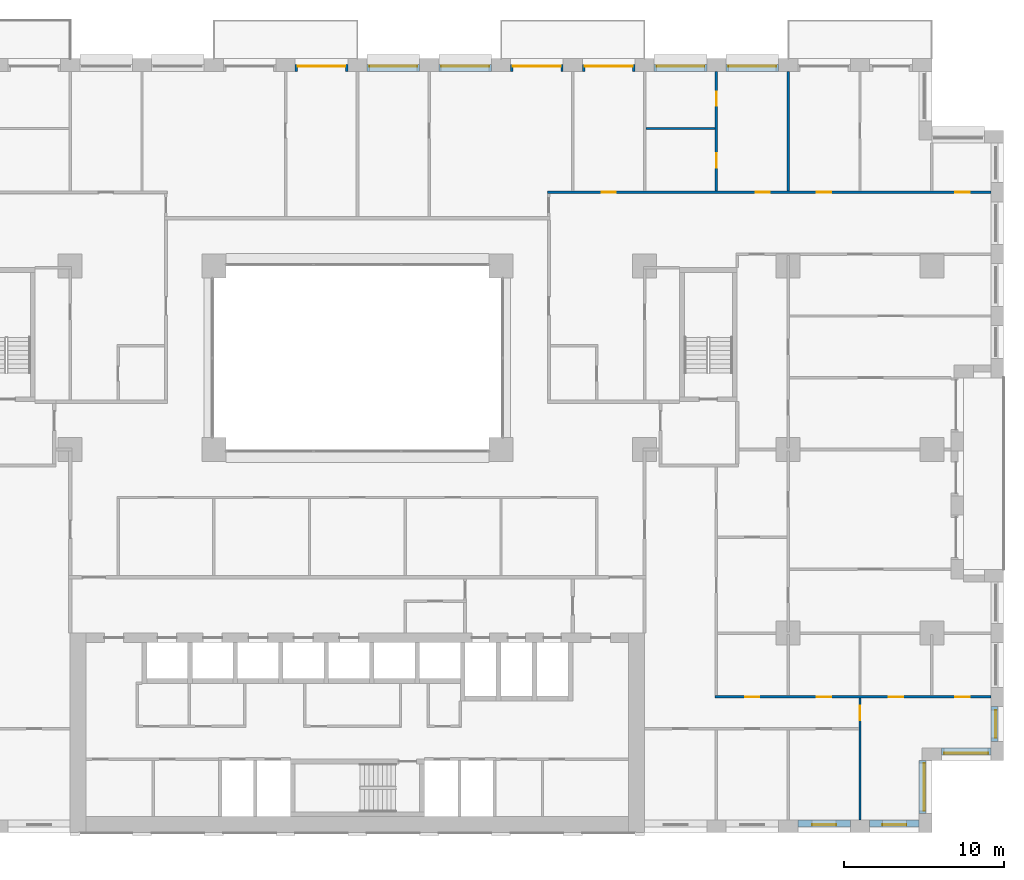
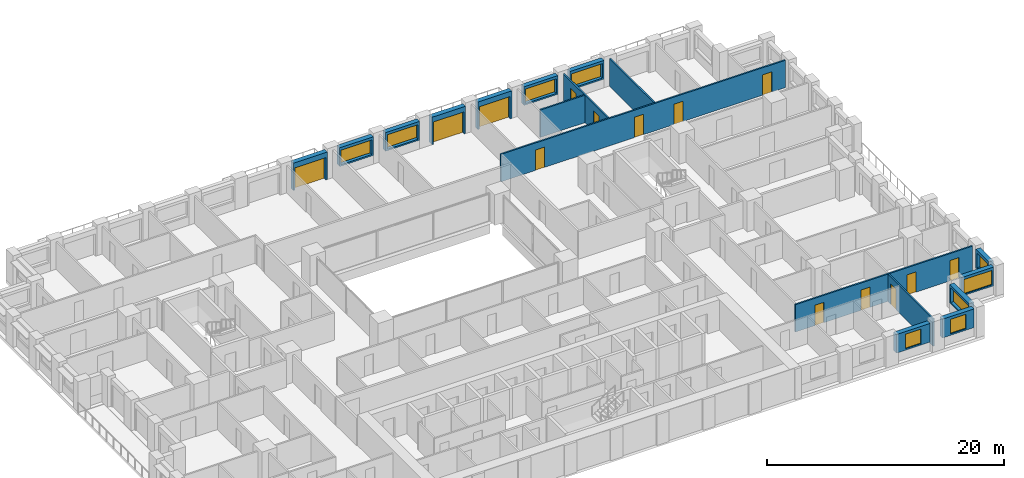
# One storey, part 15 of 19: 18 walls, 14 doors, 9 windows, 23 openings.
"""IFC4 building model written with IfcOpenShell, lengths in metres."""

from ifc_helpers import new_model, si_unit, direction, frame, frame_2d, origin, place, context, subcontext, project, spatial, rectangle, extrude, material, layer, layer_set, type_object, element, fill, save


model = new_model("IFC4")

# Units and contexts
model_context = context("Model", 3, precision=1e-05, world=origin(), true_north=direction((0.0, 1.0)))
body_context = subcontext(model_context, "Body", "Model", "MODEL_VIEW")
ifc_project = project(units=[si_unit("LENGTHUNIT", "METRE"), si_unit("AREAUNIT", "SQUARE_METRE"), si_unit("VOLUMEUNIT", "CUBIC_METRE"), si_unit("PLANEANGLEUNIT", "RADIAN"), si_unit("MASSUNIT", "GRAM", prefix="KILO")], contexts=[model_context])

# Site, building, storey
site_placement = place(None, origin())
site = spatial("IfcSite", under=ifc_project, at=site_placement, CompositionType="ELEMENT")
building_placement = place(site_placement, origin())
building = spatial("IfcBuilding", under=site, at=building_placement, Name="Brigalow Station Residences", CompositionType="ELEMENT")
storey_placement = place(building_placement, frame((0.0, 0.0, 25.800048828125)))
storey = spatial("IfcBuildingStorey", under=building, at=storey_placement, Name="L06", CompositionType="ELEMENT", Elevation=25.800048828125)

# Wall, opening, window
ifc_material_1 = material(Name="Clay brick masonry", Category="masonry")
ifc_layer_1 = layer(ifc_material_1, 0.449951171875)
ifc_layer_set_1 = layer_set([ifc_layer_1], Name="BRICK INFILL WALL 450")
wall_type_1 = type_object("IfcWallType", Name="BRICK INFILL WALL 450", PredefinedType="SOLIDWALL", material=ifc_layer_set_1)
wall_1_placement = place(storey_placement, frame((63.60009765625, 0.574951171875, 0.89990234375), z_axis=(0.0, 0.0, 1.0), x_axis=(1.0, 0.0, 0.0)))
wall_1 = element("IfcWall", 1, at=wall_1_placement, inside=storey, type_object=wall_type_1, Name="L06/ewall/W-L06-7", PredefinedType="SOLIDWALL", context=body_context, shape_type="SweptSolid", body=[
    extrude(rectangle(XDim=3.2998046875, YDim=0.449951171875, at=frame_2d((1.64990234375, 0.0))), origin(), (0.0, 0.0, 1.0), 1.929931640625),
])
opening_1_placement = place(wall_1_placement, frame((0.89990234375, 0.0, 0.14990234375)))
opening_1 = element("IfcOpeningElement", 2, at=opening_1_placement, cuts=wall_1, Name="Opening WT-1", PredefinedType="OPENING", context=body_context, shape_type="SweptSolid", body=[
    extrude(rectangle(XDim=1.5, YDim=1.5, at=frame_2d((0.75, 0.75))), frame((0.0, 0.23486328125, 0.0), z_axis=(0.0, -1.0, 0.0), x_axis=(1.0, 0.0, 0.0)), (0.0, 0.0, 1.0), 0.469970703125),
])
ifc_material_2 = material(Name="Anodised aluminium frame with double glazing", Category="aluminium")
window_type_1 = type_object("IfcWindowType", Name="WINDOW 1500x1500", PartitioningType="SINGLE_PANEL", PredefinedType="WINDOW", material=ifc_material_2)
window_1_placement = place(opening_1_placement, origin())
window_1 = element("IfcWindow", 3, at=window_1_placement, inside=storey, type_object=window_type_1, Name="L06/window/W-L06-7", OverallHeight=1.5, OverallWidth=1.5, PartitioningType="SINGLE_PANEL", PredefinedType="WINDOW", context=body_context, shape_type="SweptSolid", body=[
    extrude(rectangle(XDim=1.5, YDim=1.5, at=frame_2d((0.75, 0.75))), frame((0.0, -0.06494140625, 0.0), z_axis=(0.0, -1.0, 0.0), x_axis=(1.0, 0.0, 0.0)), (0.0, 0.0, 1.0), 0.06005859375),
])
fill(opening_1, window_1)

wall_2_placement = place(storey_placement, frame((68.10009765625, 0.574951171875, 0.89990234375), z_axis=(0.0, 0.0, 1.0), x_axis=(1.0, 0.0, 0.0)))
wall_2 = element("IfcWall", 4, at=wall_2_placement, inside=storey, type_object=wall_type_1, Name="L06/ewall/W-L06-8", PredefinedType="SOLIDWALL", context=body_context, shape_type="SweptSolid", body=[
    extrude(rectangle(XDim=3.099853515625, YDim=0.449951171875, at=frame_2d((1.5498046875, 0.0))), origin(), (0.0, 0.0, 1.0), 1.929931640625),
])
opening_2_placement = place(wall_2_placement, frame((0.800048828125, 0.0, 0.14990234375)))
opening_2 = element("IfcOpeningElement", 5, at=opening_2_placement, cuts=wall_2, Name="Opening WT-1", PredefinedType="OPENING", context=body_context, shape_type="SweptSolid", body=[
    extrude(rectangle(XDim=1.5, YDim=1.5, at=frame_2d((0.75, 0.75))), frame((0.0, 0.23486328125, 0.0), z_axis=(0.0, -1.0, 0.0), x_axis=(1.0, 0.0, 0.0)), (0.0, 0.0, 1.0), 0.469970703125),
])
window_2_placement = place(opening_2_placement, origin())
window_2 = element("IfcWindow", 6, at=window_2_placement, inside=storey, type_object=window_type_1, Name="L06/window/W-L06-8", OverallHeight=1.5, OverallWidth=1.5, PartitioningType="SINGLE_PANEL", PredefinedType="WINDOW", context=body_context, shape_type="SweptSolid", body=[
    extrude(rectangle(XDim=1.5, YDim=1.5, at=frame_2d((0.75, 0.75))), frame((0.0, -0.06494140625, 0.0), z_axis=(0.0, -1.0, 0.0), x_axis=(1.0, 0.0, 0.0)), (0.0, 0.0, 1.0), 0.06005859375),
])
fill(opening_2, window_2)

wall_3_placement = place(storey_placement, frame((71.425048828125, 1.199951171875, 0.89990234375), z_axis=(0.0, 0.0, 1.0), x_axis=(0.0, 1.0, 0.0)))
wall_3 = element("IfcWall", 7, at=wall_3_placement, inside=storey, type_object=wall_type_1, Name="L06/ewall/W-L06-9", PredefinedType="SOLIDWALL", context=body_context, shape_type="SweptSolid", body=[
    extrude(rectangle(XDim=3.300048828125, YDim=0.449951171875, at=frame_2d((1.64990234375, 0.0))), origin(), (0.0, 0.0, 1.0), 1.929931640625),
])
opening_3_placement = place(wall_3_placement, frame((0.14990234375, 0.0, 0.14990234375)))
opening_3 = element("IfcOpeningElement", 8, at=opening_3_placement, cuts=wall_3, Name="Opening WT-2", PredefinedType="OPENING", context=body_context, shape_type="SweptSolid", body=[
    extrude(rectangle(XDim=3.0, YDim=1.5, at=frame_2d((1.5, 0.75))), frame((0.0, 0.23486328125, 0.0), z_axis=(0.0, -1.0, 0.0), x_axis=(1.0, 0.0, 0.0)), (0.0, 0.0, 1.0), 0.469970703125),
])
ifc_material_3 = material(Name="Anodised aluminium frame with double glazing", Category="aluminium")
window_type_2 = type_object("IfcWindowType", Name="WINDOW 3000x1500", PartitioningType="SINGLE_PANEL", PredefinedType="WINDOW", material=ifc_material_3)
window_3_placement = place(opening_3_placement, origin())
window_3 = element("IfcWindow", 9, at=window_3_placement, inside=storey, type_object=window_type_2, Name="L06/window/W-L06-9", OverallHeight=1.5, OverallWidth=3.0, PartitioningType="SINGLE_PANEL", PredefinedType="WINDOW", context=body_context, shape_type="SweptSolid", body=[
    extrude(rectangle(XDim=3.0, YDim=1.5, at=frame_2d((1.5, 0.75))), frame((0.0, -0.06494140625, 0.0), z_axis=(0.0, -1.0, 0.0), x_axis=(1.0, 0.0, 0.0)), (0.0, 0.0, 1.0), 0.06005859375),
])
fill(opening_3, window_3)

wall_4_placement = place(storey_placement, frame((72.60009765625, 5.074951171875, 0.89990234375), z_axis=(0.0, 0.0, 1.0), x_axis=(1.0, 0.0, 0.0)))
wall_4 = element("IfcWall", 10, at=wall_4_placement, inside=storey, type_object=wall_type_1, Name="L06/ewall/W-L06-10", PredefinedType="SOLIDWALL", context=body_context, shape_type="SweptSolid", body=[
    extrude(rectangle(XDim=3.099853515625, YDim=0.449951171875, at=frame_2d((1.5498046875, 0.0))), origin(), (0.0, 0.0, 1.0), 1.929931640625),
])
opening_4_placement = place(wall_4_placement, frame((0.175048828125, 0.0, 0.14990234375)))
opening_4 = element("IfcOpeningElement", 11, at=opening_4_placement, cuts=wall_4, Name="Opening WT-3", PredefinedType="OPENING", context=body_context, shape_type="SweptSolid", body=[
    extrude(rectangle(XDim=2.75, YDim=1.5, at=frame_2d((1.375, 0.75))), frame((0.0, 0.23486328125, 0.0), z_axis=(0.0, -1.0, 0.0), x_axis=(1.0, 0.0, 0.0)), (0.0, 0.0, 1.0), 0.469970703125),
])
ifc_material_4 = material(Name="Anodised aluminium frame with double glazing", Category="aluminium")
window_type_3 = type_object("IfcWindowType", Name="WINDOW 2750x1500", PartitioningType="SINGLE_PANEL", PredefinedType="WINDOW", material=ifc_material_4)
window_4_placement = place(opening_4_placement, origin())
window_4 = element("IfcWindow", 12, at=window_4_placement, inside=storey, type_object=window_type_3, Name="L06/window/W-L06-10", OverallHeight=1.5, OverallWidth=2.75, PartitioningType="SINGLE_PANEL", PredefinedType="WINDOW", context=body_context, shape_type="SweptSolid", body=[
    extrude(rectangle(XDim=2.75, YDim=1.5, at=frame_2d((1.375, 0.75))), frame((0.0, -0.06494140625, 0.0), z_axis=(0.0, -1.0, 0.0), x_axis=(1.0, 0.0, 0.0)), (0.0, 0.0, 1.0), 0.06005859375),
])
fill(opening_4, window_4)

wall_5_placement = place(storey_placement, frame((75.925048828125, 5.699951171875, 0.89990234375), z_axis=(0.0, 0.0, 1.0), x_axis=(0.0, 1.0, 0.0)))
wall_5 = element("IfcWall", 13, at=wall_5_placement, inside=storey, type_object=wall_type_1, Name="L06/ewall/W-L06-11", PredefinedType="SOLIDWALL", context=body_context, shape_type="SweptSolid", body=[
    extrude(rectangle(XDim=2.199951171875, YDim=0.449951171875, at=frame_2d((1.10009765625, 0.0))), origin(), (0.0, 0.0, 1.0), 1.929931640625),
])
opening_5_placement = place(wall_5_placement, frame((0.22509765625, 0.0, 0.14990234375)))
opening_5 = element("IfcOpeningElement", 14, at=opening_5_placement, cuts=wall_5, Name="Opening WT-4", PredefinedType="OPENING", context=body_context, shape_type="SweptSolid", body=[
    extrude(rectangle(XDim=1.75, YDim=1.5, at=frame_2d((0.875, 0.75))), frame((0.0, 0.23486328125, 0.0), z_axis=(0.0, -1.0, 0.0), x_axis=(1.0, 0.0, 0.0)), (0.0, 0.0, 1.0), 0.469970703125),
])
ifc_material_5 = material(Name="Anodised aluminium frame with double glazing", Category="aluminium")
window_type_4 = type_object("IfcWindowType", Name="WINDOW 1750x1500", PartitioningType="SINGLE_PANEL", PredefinedType="WINDOW", material=ifc_material_5)
window_5_placement = place(opening_5_placement, origin())
window_5 = element("IfcWindow", 15, at=window_5_placement, inside=storey, type_object=window_type_4, Name="L06/window/W-L06-11", OverallHeight=1.5, OverallWidth=1.75, PartitioningType="SINGLE_PANEL", PredefinedType="WINDOW", context=body_context, shape_type="SweptSolid", body=[
    extrude(rectangle(XDim=1.75, YDim=1.5, at=frame_2d((0.875, 0.75))), frame((0.0, -0.06494140625, 0.0), z_axis=(0.0, -1.0, 0.0), x_axis=(1.0, 0.0, 0.0)), (0.0, 0.0, 1.0), 0.06005859375),
])
fill(opening_5, window_5)

wall_6_placement = place(storey_placement, frame((62.39990234375, 47.925048828125, 0.89990234375), z_axis=(0.0, 0.0, 1.0), x_axis=(-1.0, 0.0, 0.0)))
wall_6 = element("IfcWall", 16, at=wall_6_placement, inside=storey, type_object=wall_type_1, Name="L06/ewall/W-L06-27", PredefinedType="SOLIDWALL", context=body_context, shape_type="SweptSolid", body=[
    extrude(rectangle(XDim=3.2998046875, YDim=0.449951171875, at=frame_2d((1.64990234375, 0.0))), origin(), (0.0, 0.0, 1.0), 1.929931640625),
])
opening_6_placement = place(wall_6_placement, frame((0.14990234375, 0.0, 0.14990234375)))
opening_6 = element("IfcOpeningElement", 17, at=opening_6_placement, cuts=wall_6, Name="Opening WT-2", PredefinedType="OPENING", context=body_context, shape_type="SweptSolid", body=[
    extrude(rectangle(XDim=3.0, YDim=1.5, at=frame_2d((1.5, 0.75))), frame((0.0, 0.23486328125, 0.0), z_axis=(0.0, -1.0, 0.0), x_axis=(1.0, 0.0, 0.0)), (0.0, 0.0, 1.0), 0.469970703125),
])
window_6_placement = place(opening_6_placement, origin())
window_6 = element("IfcWindow", 18, at=window_6_placement, inside=storey, type_object=window_type_2, Name="L06/window/W-L06-27", OverallHeight=1.5, OverallWidth=3.0, PartitioningType="SINGLE_PANEL", PredefinedType="WINDOW", context=body_context, shape_type="SweptSolid", body=[
    extrude(rectangle(XDim=3.0, YDim=1.5, at=frame_2d((1.5, 0.75))), frame((0.0, -0.06494140625, 0.0), z_axis=(0.0, -1.0, 0.0), x_axis=(1.0, 0.0, 0.0)), (0.0, 0.0, 1.0), 0.06005859375),
])
fill(opening_6, window_6)

wall_7_placement = place(storey_placement, frame((57.89990234375, 47.925048828125, 0.89990234375), z_axis=(0.0, 0.0, 1.0), x_axis=(-1.0, 0.0, 0.0)))
wall_7 = element("IfcWall", 19, at=wall_7_placement, inside=storey, type_object=wall_type_1, Name="L06/ewall/W-L06-28", PredefinedType="SOLIDWALL", context=body_context, shape_type="SweptSolid", body=[
    extrude(rectangle(XDim=3.2998046875, YDim=0.449951171875, at=frame_2d((1.64990234375, 0.0))), origin(), (0.0, 0.0, 1.0), 1.929931640625),
])
opening_7_placement = place(wall_7_placement, frame((0.14990234375, 0.0, 0.14990234375)))
opening_7 = element("IfcOpeningElement", 20, at=opening_7_placement, cuts=wall_7, Name="Opening WT-2", PredefinedType="OPENING", context=body_context, shape_type="SweptSolid", body=[
    extrude(rectangle(XDim=3.0, YDim=1.5, at=frame_2d((1.5, 0.75))), frame((0.0, 0.23486328125, 0.0), z_axis=(0.0, -1.0, 0.0), x_axis=(1.0, 0.0, 0.0)), (0.0, 0.0, 1.0), 0.469970703125),
])
window_7_placement = place(opening_7_placement, origin())
window_7 = element("IfcWindow", 21, at=window_7_placement, inside=storey, type_object=window_type_2, Name="L06/window/W-L06-28", OverallHeight=1.5, OverallWidth=3.0, PartitioningType="SINGLE_PANEL", PredefinedType="WINDOW", context=body_context, shape_type="SweptSolid", body=[
    extrude(rectangle(XDim=3.0, YDim=1.5, at=frame_2d((1.5, 0.75))), frame((0.0, -0.06494140625, 0.0), z_axis=(0.0, -1.0, 0.0), x_axis=(1.0, 0.0, 0.0)), (0.0, 0.0, 1.0), 0.06005859375),
])
fill(opening_7, window_7)

# Wall, opening, door
wall_8_placement = place(storey_placement, frame((53.39990234375, 47.925048828125, 0.0), z_axis=(0.0, 0.0, 1.0), x_axis=(-1.0, 0.0, 0.0)))
wall_8 = element("IfcWall", 22, at=wall_8_placement, inside=storey, type_object=wall_type_1, Name="L06/ewall/W-L06-29", PredefinedType="SOLIDWALL", context=body_context, shape_type="SweptSolid", body=[
    extrude(rectangle(XDim=3.2998046875, YDim=0.449951171875, at=frame_2d((1.64990234375, 0.0))), origin(), (0.0, 0.0, 1.0), 2.829833984375),
])
opening_8_placement = place(wall_8_placement, frame((0.14990234375, 0.0, 0.0)))
opening_8 = element("IfcOpeningElement", 23, at=opening_8_placement, cuts=wall_8, Name="Opening D-B3000", PredefinedType="OPENING", context=body_context, shape_type="SweptSolid", body=[
    extrude(rectangle(XDim=3.0, YDim=2.300048828125, at=frame_2d((1.5, 1.14990234375))), frame((0.0, 0.23486328125, 0.0), z_axis=(0.0, -1.0, 0.0), x_axis=(1.0, 0.0, 0.0)), (0.0, 0.0, 1.0), 0.469970703125),
])
ifc_material_6 = material(Name="Anodised aluminium frame with double glazing", Category="aluminium")
door_type_1 = type_object("IfcDoorType", Name="BALCONY SLIDING DOOR 3000x2300", OperationType="SLIDING_TO_LEFT", PredefinedType="DOOR", material=ifc_material_6)
door_1_placement = place(opening_8_placement, origin())
door_1 = element("IfcDoor", 24, at=door_1_placement, inside=storey, type_object=door_type_1, Name="L06/balcony-door/W-L06-29", OperationType="SLIDING_TO_LEFT", OverallHeight=2.300048828125, OverallWidth=3.0, PredefinedType="DOOR", context=body_context, shape_type="SweptSolid", body=[
    extrude(rectangle(XDim=3.0, YDim=2.300048828125, at=frame_2d((1.5, 1.14990234375))), frame((0.0, -0.06982421875, 0.0), z_axis=(0.0, -1.0, 0.0), x_axis=(1.0, 0.0, 0.0)), (0.0, 0.0, 1.0), 0.050048828125),
])
fill(opening_8, door_1)

wall_9_placement = place(storey_placement, frame((48.89990234375, 47.925048828125, 0.0), z_axis=(0.0, 0.0, 1.0), x_axis=(-1.0, 0.0, 0.0)))
wall_9 = element("IfcWall", 25, at=wall_9_placement, inside=storey, type_object=wall_type_1, Name="L06/ewall/W-L06-30", PredefinedType="SOLIDWALL", context=body_context, shape_type="SweptSolid", body=[
    extrude(rectangle(XDim=3.2998046875, YDim=0.449951171875, at=frame_2d((1.64990234375, 0.0))), origin(), (0.0, 0.0, 1.0), 2.829833984375),
])
opening_9_placement = place(wall_9_placement, frame((0.14990234375, 0.0, 0.0)))
opening_9 = element("IfcOpeningElement", 26, at=opening_9_placement, cuts=wall_9, Name="Opening D-B3000", PredefinedType="OPENING", context=body_context, shape_type="SweptSolid", body=[
    extrude(rectangle(XDim=3.0, YDim=2.300048828125, at=frame_2d((1.5, 1.14990234375))), frame((0.0, 0.23486328125, 0.0), z_axis=(0.0, -1.0, 0.0), x_axis=(1.0, 0.0, 0.0)), (0.0, 0.0, 1.0), 0.469970703125),
])
door_2_placement = place(opening_9_placement, origin())
door_2 = element("IfcDoor", 27, at=door_2_placement, inside=storey, type_object=door_type_1, Name="L06/balcony-door/W-L06-30", OperationType="SLIDING_TO_LEFT", OverallHeight=2.300048828125, OverallWidth=3.0, PredefinedType="DOOR", context=body_context, shape_type="SweptSolid", body=[
    extrude(rectangle(XDim=3.0, YDim=2.300048828125, at=frame_2d((1.5, 1.14990234375))), frame((0.0, -0.06982421875, 0.0), z_axis=(0.0, -1.0, 0.0), x_axis=(1.0, 0.0, 0.0)), (0.0, 0.0, 1.0), 0.050048828125),
])
fill(opening_9, door_2)

# Wall, opening, window
wall_10_placement = place(storey_placement, frame((44.39990234375, 47.925048828125, 0.89990234375), z_axis=(0.0, 0.0, 1.0), x_axis=(-1.0, 0.0, 0.0)))
wall_10 = element("IfcWall", 28, at=wall_10_placement, inside=storey, type_object=wall_type_1, Name="L06/ewall/W-L06-31", PredefinedType="SOLIDWALL", context=body_context, shape_type="SweptSolid", body=[
    extrude(rectangle(XDim=3.2998046875, YDim=0.449951171875, at=frame_2d((1.64990234375, 0.0))), origin(), (0.0, 0.0, 1.0), 1.929931640625),
])
opening_10_placement = place(wall_10_placement, frame((0.14990234375, 0.0, 0.14990234375)))
opening_10 = element("IfcOpeningElement", 29, at=opening_10_placement, cuts=wall_10, Name="Opening WT-2", PredefinedType="OPENING", context=body_context, shape_type="SweptSolid", body=[
    extrude(rectangle(XDim=3.0, YDim=1.5, at=frame_2d((1.5, 0.75))), frame((0.0, 0.23486328125, 0.0), z_axis=(0.0, -1.0, 0.0), x_axis=(1.0, 0.0, 0.0)), (0.0, 0.0, 1.0), 0.469970703125),
])
window_8_placement = place(opening_10_placement, origin())
window_8 = element("IfcWindow", 30, at=window_8_placement, inside=storey, type_object=window_type_2, Name="L06/window/W-L06-31", OverallHeight=1.5, OverallWidth=3.0, PartitioningType="SINGLE_PANEL", PredefinedType="WINDOW", context=body_context, shape_type="SweptSolid", body=[
    extrude(rectangle(XDim=3.0, YDim=1.5, at=frame_2d((1.5, 0.75))), frame((0.0, -0.06494140625, 0.0), z_axis=(0.0, -1.0, 0.0), x_axis=(1.0, 0.0, 0.0)), (0.0, 0.0, 1.0), 0.06005859375),
])
fill(opening_10, window_8)

wall_11_placement = place(storey_placement, frame((39.89990234375, 47.925048828125, 0.89990234375), z_axis=(0.0, 0.0, 1.0), x_axis=(-1.0, 0.0, 0.0)))
wall_11 = element("IfcWall", 31, at=wall_11_placement, inside=storey, type_object=wall_type_1, Name="L06/ewall/W-L06-32", PredefinedType="SOLIDWALL", context=body_context, shape_type="SweptSolid", body=[
    extrude(rectangle(XDim=3.2998046875, YDim=0.449951171875, at=frame_2d((1.64990234375, 0.0))), origin(), (0.0, 0.0, 1.0), 1.929931640625),
])
opening_11_placement = place(wall_11_placement, frame((0.14990234375, 0.0, 0.14990234375)))
opening_11 = element("IfcOpeningElement", 32, at=opening_11_placement, cuts=wall_11, Name="Opening WT-2", PredefinedType="OPENING", context=body_context, shape_type="SweptSolid", body=[
    extrude(rectangle(XDim=3.0, YDim=1.5, at=frame_2d((1.5, 0.75))), frame((0.0, 0.23486328125, 0.0), z_axis=(0.0, -1.0, 0.0), x_axis=(1.0, 0.0, 0.0)), (0.0, 0.0, 1.0), 0.469970703125),
])
window_9_placement = place(opening_11_placement, origin())
window_9 = element("IfcWindow", 33, at=window_9_placement, inside=storey, type_object=window_type_2, Name="L06/window/W-L06-32", OverallHeight=1.5, OverallWidth=3.0, PartitioningType="SINGLE_PANEL", PredefinedType="WINDOW", context=body_context, shape_type="SweptSolid", body=[
    extrude(rectangle(XDim=3.0, YDim=1.5, at=frame_2d((1.5, 0.75))), frame((0.0, -0.06494140625, 0.0), z_axis=(0.0, -1.0, 0.0), x_axis=(1.0, 0.0, 0.0)), (0.0, 0.0, 1.0), 0.06005859375),
])
fill(opening_11, window_9)

# Wall, opening, door
wall_12_placement = place(storey_placement, frame((35.39990234375, 47.925048828125, 0.0), z_axis=(0.0, 0.0, 1.0), x_axis=(-1.0, 0.0, 0.0)))
wall_12 = element("IfcWall", 34, at=wall_12_placement, inside=storey, type_object=wall_type_1, Name="L06/ewall/W-L06-33", PredefinedType="SOLIDWALL", context=body_context, shape_type="SweptSolid", body=[
    extrude(rectangle(XDim=3.2998046875, YDim=0.449951171875, at=frame_2d((1.64990234375, 0.0))), origin(), (0.0, 0.0, 1.0), 2.829833984375),
])
opening_12_placement = place(wall_12_placement, frame((0.14990234375, 0.0, 0.0)))
opening_12 = element("IfcOpeningElement", 35, at=opening_12_placement, cuts=wall_12, Name="Opening D-B3000", PredefinedType="OPENING", context=body_context, shape_type="SweptSolid", body=[
    extrude(rectangle(XDim=3.0, YDim=2.300048828125, at=frame_2d((1.5, 1.14990234375))), frame((0.0, 0.23486328125, 0.0), z_axis=(0.0, -1.0, 0.0), x_axis=(1.0, 0.0, 0.0)), (0.0, 0.0, 1.0), 0.469970703125),
])
door_3_placement = place(opening_12_placement, origin())
door_3 = element("IfcDoor", 36, at=door_3_placement, inside=storey, type_object=door_type_1, Name="L06/balcony-door/W-L06-33", OperationType="SLIDING_TO_LEFT", OverallHeight=2.300048828125, OverallWidth=3.0, PredefinedType="DOOR", context=body_context, shape_type="SweptSolid", body=[
    extrude(rectangle(XDim=3.0, YDim=2.300048828125, at=frame_2d((1.5, 1.14990234375))), frame((0.0, -0.06982421875, 0.0), z_axis=(0.0, -1.0, 0.0), x_axis=(1.0, 0.0, 0.0)), (0.0, 0.0, 1.0), 0.050048828125),
])
fill(opening_12, door_3)

# Wall, openings, doors
ifc_material_7 = material(Name="Plasterboard on steel stud partition", Category="steel")
ifc_layer_2 = layer(ifc_material_7, 0.14990234375)
ifc_layer_set_2 = layer_set([ifc_layer_2], Name="FLAT PARTITION 150")
wall_type_2 = type_object("IfcWallType", Name="FLAT PARTITION 150", PredefinedType="PARTITIONING", material=ifc_layer_set_2)
wall_13_placement = place(storey_placement, frame((58.425048828125, 8.5, 0.0), z_axis=(0.0, 0.0, 1.0), x_axis=(1.0, 0.0, 0.0)))
wall_13 = element("IfcWall", 37, at=wall_13_placement, inside=storey, type_object=wall_type_2, Name="PW-1A10", PredefinedType="PARTITIONING", context=body_context, shape_type="SweptSolid", body=[
    extrude(rectangle(XDim=17.27490234375, YDim=0.14990234375, at=frame_2d((8.637451171875, 0.0))), origin(), (0.0, 0.0, 1.0), 2.829833984375),
])
opening_13_placement = place(wall_13_placement, frame((1.875, 0.0, 0.0)))
opening_13 = element("IfcOpeningElement", 38, at=opening_13_placement, cuts=wall_13, Name="Opening D-1A33", PredefinedType="OPENING", context=body_context, shape_type="SweptSolid", body=[
    extrude(rectangle(XDim=0.89990234375, YDim=2.10009765625, at=frame_2d((0.449951171875, 1.050048828125))), frame((0.0, 0.0849609375, 0.0), z_axis=(0.0, -1.0, 0.0), x_axis=(1.0, 0.0, 0.0)), (0.0, 0.0, 1.0), 0.169921875),
])
opening_14_placement = place(wall_13_placement, frame((6.375, 0.0, 0.0)))
opening_14 = element("IfcOpeningElement", 39, at=opening_14_placement, cuts=wall_13, Name="Opening D-1A34", PredefinedType="OPENING", context=body_context, shape_type="SweptSolid", body=[
    extrude(rectangle(XDim=0.89990234375, YDim=2.10009765625, at=frame_2d((0.449951171875, 1.050048828125))), frame((0.0, 0.0849609375, 0.0), z_axis=(0.0, -1.0, 0.0), x_axis=(1.0, 0.0, 0.0)), (0.0, 0.0, 1.0), 0.169921875),
])
opening_15_placement = place(wall_13_placement, frame((10.875, 0.0, 0.0)))
opening_15 = element("IfcOpeningElement", 40, at=opening_15_placement, cuts=wall_13, Name="Opening D-1A36", PredefinedType="OPENING", context=body_context, shape_type="SweptSolid", body=[
    extrude(rectangle(XDim=0.89990234375, YDim=2.10009765625, at=frame_2d((0.449951171875, 1.050048828125))), frame((0.0, 0.0849609375, 0.0), z_axis=(0.0, -1.0, 0.0), x_axis=(1.0, 0.0, 0.0)), (0.0, 0.0, 1.0), 0.169921875),
])
opening_16_placement = place(wall_13_placement, frame((15.050048828125, 0.0, 0.0)))
opening_16 = element("IfcOpeningElement", 41, at=opening_16_placement, cuts=wall_13, Name="Opening D-1A37", PredefinedType="OPENING", context=body_context, shape_type="SweptSolid", body=[
    extrude(rectangle(XDim=0.89990234375, YDim=2.10009765625, at=frame_2d((0.449951171875, 1.050048828125))), frame((0.0, 0.0849609375, 0.0), z_axis=(0.0, -1.0, 0.0), x_axis=(1.0, 0.0, 0.0)), (0.0, 0.0, 1.0), 0.169921875),
])
ifc_material_8 = material(Name="Solid-core timber door leaf", Category="wood")
door_type_2 = type_object("IfcDoorType", Name="INTERNAL DOOR 900 x 2100", OperationType="SINGLE_SWING_LEFT", PredefinedType="DOOR", material=ifc_material_8)
door_4_placement = place(opening_13_placement, origin())
door_4 = element("IfcDoor", 42, at=door_4_placement, inside=storey, type_object=door_type_2, Name="D-1A33", OperationType="SINGLE_SWING_LEFT", OverallHeight=2.10009765625, OverallWidth=0.89990234375, PredefinedType="DOOR", context=body_context, shape_type="SweptSolid", body=[
    extrude(rectangle(XDim=0.89990234375, YDim=2.10009765625, at=frame_2d((0.449951171875, 1.050048828125))), frame((0.0, 0.02490234375, 0.0), z_axis=(0.0, -1.0, 0.0), x_axis=(1.0, 0.0, 0.0)), (0.0, 0.0, 1.0), 0.050048828125),
])
fill(opening_13, door_4)
door_5_placement = place(opening_14_placement, origin())
door_5 = element("IfcDoor", 43, at=door_5_placement, inside=storey, type_object=door_type_2, Name="D-1A34", OperationType="SINGLE_SWING_LEFT", OverallHeight=2.10009765625, OverallWidth=0.89990234375, PredefinedType="DOOR", context=body_context, shape_type="SweptSolid", body=[
    extrude(rectangle(XDim=0.89990234375, YDim=2.10009765625, at=frame_2d((0.449951171875, 1.050048828125))), frame((0.0, 0.02490234375, 0.0), z_axis=(0.0, -1.0, 0.0), x_axis=(1.0, 0.0, 0.0)), (0.0, 0.0, 1.0), 0.050048828125),
])
fill(opening_14, door_5)
door_6_placement = place(opening_15_placement, origin())
door_6 = element("IfcDoor", 44, at=door_6_placement, inside=storey, type_object=door_type_2, Name="D-1A36", OperationType="SINGLE_SWING_LEFT", OverallHeight=2.10009765625, OverallWidth=0.89990234375, PredefinedType="DOOR", context=body_context, shape_type="SweptSolid", body=[
    extrude(rectangle(XDim=0.89990234375, YDim=2.10009765625, at=frame_2d((0.449951171875, 1.050048828125))), frame((0.0, 0.02490234375, 0.0), z_axis=(0.0, -1.0, 0.0), x_axis=(1.0, 0.0, 0.0)), (0.0, 0.0, 1.0), 0.050048828125),
])
fill(opening_15, door_6)
door_7_placement = place(opening_16_placement, origin())
door_7 = element("IfcDoor", 45, at=door_7_placement, inside=storey, type_object=door_type_2, Name="D-1A37", OperationType="SINGLE_SWING_RIGHT", OverallHeight=2.10009765625, OverallWidth=0.89990234375, PredefinedType="DOOR", context=body_context, shape_type="SweptSolid", body=[
    extrude(rectangle(XDim=0.89990234375, YDim=2.10009765625, at=frame_2d((0.449951171875, 1.050048828125))), frame((0.0, 0.02490234375, 0.0), z_axis=(0.0, -1.0, 0.0), x_axis=(1.0, 0.0, 0.0)), (0.0, 0.0, 1.0), 0.050048828125),
])
fill(opening_16, door_7)

wall_14_placement = place(storey_placement, frame((47.925048828125, 40.125, 0.0), z_axis=(0.0, 0.0, 1.0), x_axis=(1.0, 0.0, 0.0)))
wall_14 = element("IfcWall", 46, at=wall_14_placement, inside=storey, type_object=wall_type_2, Name="PW-1A23", PredefinedType="PARTITIONING", context=body_context, shape_type="SweptSolid", body=[
    extrude(rectangle(XDim=27.77490234375, YDim=0.14990234375, at=frame_2d((13.887451171875, 0.0))), origin(), (0.0, 0.0, 1.0), 2.829833984375),
])
opening_17_placement = place(wall_14_placement, frame((16.875, 0.0, 0.0)))
opening_17 = element("IfcOpeningElement", 47, at=opening_17_placement, cuts=wall_14, Name="Opening D-1A53", PredefinedType="OPENING", context=body_context, shape_type="SweptSolid", body=[
    extrude(rectangle(XDim=0.89990234375, YDim=2.10009765625, at=frame_2d((0.449951171875, 1.050048828125))), frame((0.0, 0.0849609375, 0.0), z_axis=(0.0, -1.0, 0.0), x_axis=(1.0, 0.0, 0.0)), (0.0, 0.0, 1.0), 0.169921875),
])
opening_18_placement = place(wall_14_placement, frame((13.02490234375, 0.0, 0.0)))
opening_18 = element("IfcOpeningElement", 48, at=opening_18_placement, cuts=wall_14, Name="Opening D-1A55", PredefinedType="OPENING", context=body_context, shape_type="SweptSolid", body=[
    extrude(rectangle(XDim=0.89990234375, YDim=2.10009765625, at=frame_2d((0.449951171875, 1.050048828125))), frame((0.0, 0.0849609375, 0.0), z_axis=(0.0, -1.0, 0.0), x_axis=(1.0, 0.0, 0.0)), (0.0, 0.0, 1.0), 0.169921875),
])
opening_19_placement = place(wall_14_placement, frame((3.375, 0.0, 0.0)))
opening_19 = element("IfcOpeningElement", 49, at=opening_19_placement, cuts=wall_14, Name="Opening D-1A58", PredefinedType="OPENING", context=body_context, shape_type="SweptSolid", body=[
    extrude(rectangle(XDim=0.89990234375, YDim=2.10009765625, at=frame_2d((0.449951171875, 1.050048828125))), frame((0.0, 0.0849609375, 0.0), z_axis=(0.0, -1.0, 0.0), x_axis=(1.0, 0.0, 0.0)), (0.0, 0.0, 1.0), 0.169921875),
])
opening_20_placement = place(wall_14_placement, frame((25.550048828125, 0.0, 0.0)))
opening_20 = element("IfcOpeningElement", 50, at=opening_20_placement, cuts=wall_14, Name="Opening D-1A59", PredefinedType="OPENING", context=body_context, shape_type="SweptSolid", body=[
    extrude(rectangle(XDim=0.89990234375, YDim=2.10009765625, at=frame_2d((0.449951171875, 1.050048828125))), frame((0.0, 0.0849609375, 0.0), z_axis=(0.0, -1.0, 0.0), x_axis=(1.0, 0.0, 0.0)), (0.0, 0.0, 1.0), 0.169921875),
])
door_8_placement = place(opening_17_placement, origin())
door_8 = element("IfcDoor", 51, at=door_8_placement, inside=storey, type_object=door_type_2, Name="D-1A53", OperationType="SINGLE_SWING_RIGHT", OverallHeight=2.10009765625, OverallWidth=0.89990234375, PredefinedType="DOOR", context=body_context, shape_type="SweptSolid", body=[
    extrude(rectangle(XDim=0.89990234375, YDim=2.10009765625, at=frame_2d((0.449951171875, 1.050048828125))), frame((0.0, 0.02490234375, 0.0), z_axis=(0.0, -1.0, 0.0), x_axis=(1.0, 0.0, 0.0)), (0.0, 0.0, 1.0), 0.050048828125),
])
fill(opening_17, door_8)
door_9_placement = place(opening_18_placement, origin())
door_9 = element("IfcDoor", 52, at=door_9_placement, inside=storey, type_object=door_type_2, Name="D-1A55", OperationType="SINGLE_SWING_RIGHT", OverallHeight=2.10009765625, OverallWidth=0.89990234375, PredefinedType="DOOR", context=body_context, shape_type="SweptSolid", body=[
    extrude(rectangle(XDim=0.89990234375, YDim=2.10009765625, at=frame_2d((0.449951171875, 1.050048828125))), frame((0.0, 0.02490234375, 0.0), z_axis=(0.0, -1.0, 0.0), x_axis=(1.0, 0.0, 0.0)), (0.0, 0.0, 1.0), 0.050048828125),
])
fill(opening_18, door_9)
door_10_placement = place(opening_19_placement, origin())
door_10 = element("IfcDoor", 53, at=door_10_placement, inside=storey, type_object=door_type_2, Name="D-1A58", OperationType="SINGLE_SWING_RIGHT", OverallHeight=2.10009765625, OverallWidth=0.89990234375, PredefinedType="DOOR", context=body_context, shape_type="SweptSolid", body=[
    extrude(rectangle(XDim=0.89990234375, YDim=2.10009765625, at=frame_2d((0.449951171875, 1.050048828125))), frame((0.0, 0.02490234375, 0.0), z_axis=(0.0, -1.0, 0.0), x_axis=(1.0, 0.0, 0.0)), (0.0, 0.0, 1.0), 0.050048828125),
])
fill(opening_19, door_10)
door_11_placement = place(opening_20_placement, origin())
door_11 = element("IfcDoor", 54, at=door_11_placement, inside=storey, type_object=door_type_2, Name="D-1A59", OperationType="SINGLE_SWING_RIGHT", OverallHeight=2.10009765625, OverallWidth=0.89990234375, PredefinedType="DOOR", context=body_context, shape_type="SweptSolid", body=[
    extrude(rectangle(XDim=0.89990234375, YDim=2.10009765625, at=frame_2d((0.449951171875, 1.050048828125))), frame((0.0, 0.02490234375, 0.0), z_axis=(0.0, -1.0, 0.0), x_axis=(1.0, 0.0, 0.0)), (0.0, 0.0, 1.0), 0.050048828125),
])
fill(opening_20, door_11)

# Wall
wall_15_placement = place(storey_placement, frame((54.074951171875, 44.125, 0.0), z_axis=(0.0, 0.0, 1.0), x_axis=(1.0, 0.0, 0.0)))
element("IfcWall", 55, at=wall_15_placement, inside=storey, type_object=wall_type_2, Name="PW-1A27", PredefinedType="PARTITIONING", context=body_context, shape_type="SweptSolid", body=[
    extrude(rectangle(XDim=4.35009765625, YDim=0.14990234375, at=frame_2d((2.175048828125, 0.0))), origin(), (0.0, 0.0, 1.0), 2.829833984375),
])

# Wall, openings, doors
wall_16_placement = place(storey_placement, frame((58.5, 40.199951171875, 0.0), z_axis=(0.0, 0.0, 1.0), x_axis=(0.0, 1.0, 0.0)))
wall_16 = element("IfcWall", 56, at=wall_16_placement, inside=storey, type_object=wall_type_2, Name="PW-1A63", PredefinedType="PARTITIONING", context=body_context, shape_type="SweptSolid", body=[
    extrude(rectangle(XDim=7.5, YDim=0.14990234375, at=frame_2d((3.75, 0.0))), origin(), (0.0, 0.0, 1.0), 2.829833984375),
])
opening_21_placement = place(wall_16_placement, frame((1.47509765625, 0.0, 0.0)))
opening_21 = element("IfcOpeningElement", 57, at=opening_21_placement, cuts=wall_16, Name="Opening D-1A56", PredefinedType="OPENING", context=body_context, shape_type="SweptSolid", body=[
    extrude(rectangle(XDim=0.89990234375, YDim=2.10009765625, at=frame_2d((0.449951171875, 1.050048828125))), frame((0.0, 0.0849609375, 0.0), z_axis=(0.0, -1.0, 0.0), x_axis=(1.0, 0.0, 0.0)), (0.0, 0.0, 1.0), 0.169921875),
])
opening_22_placement = place(wall_16_placement, frame((5.3369140625, 0.0, 0.0)))
opening_22 = element("IfcOpeningElement", 58, at=opening_22_placement, cuts=wall_16, Name="Opening D-1A57", PredefinedType="OPENING", context=body_context, shape_type="SweptSolid", body=[
    extrude(rectangle(XDim=0.89990234375, YDim=2.10009765625, at=frame_2d((0.449951171875, 1.050048828125))), frame((0.0, 0.0849609375, 0.0), z_axis=(0.0, -1.0, 0.0), x_axis=(1.0, 0.0, 0.0)), (0.0, 0.0, 1.0), 0.169921875),
])
door_12_placement = place(opening_21_placement, origin())
door_12 = element("IfcDoor", 59, at=door_12_placement, inside=storey, type_object=door_type_2, Name="D-1A56", OperationType="SINGLE_SWING_RIGHT", OverallHeight=2.10009765625, OverallWidth=0.89990234375, PredefinedType="DOOR", context=body_context, shape_type="SweptSolid", body=[
    extrude(rectangle(XDim=0.89990234375, YDim=2.10009765625, at=frame_2d((0.449951171875, 1.050048828125))), frame((0.0, 0.02490234375, 0.0), z_axis=(0.0, -1.0, 0.0), x_axis=(1.0, 0.0, 0.0)), (0.0, 0.0, 1.0), 0.050048828125),
])
fill(opening_21, door_12)
door_13_placement = place(opening_22_placement, origin())
door_13 = element("IfcDoor", 60, at=door_13_placement, inside=storey, type_object=door_type_2, Name="D-1A57", OperationType="SINGLE_SWING_RIGHT", OverallHeight=2.10009765625, OverallWidth=0.89990234375, PredefinedType="DOOR", context=body_context, shape_type="SweptSolid", body=[
    extrude(rectangle(XDim=0.89990234375, YDim=2.10009765625, at=frame_2d((0.449951171875, 1.050048828125))), frame((0.0, 0.02490234375, 0.0), z_axis=(0.0, -1.0, 0.0), x_axis=(1.0, 0.0, 0.0)), (0.0, 0.0, 1.0), 0.050048828125),
])
fill(opening_22, door_13)

# Wall
wall_17_placement = place(storey_placement, frame((63.0, 40.199951171875, 0.0), z_axis=(0.0, 0.0, 1.0), x_axis=(0.0, 1.0, 0.0)))
element("IfcWall", 61, at=wall_17_placement, inside=storey, type_object=wall_type_2, Name="PW-1A68", PredefinedType="PARTITIONING", context=body_context, shape_type="SweptSolid", body=[
    extrude(rectangle(XDim=7.5, YDim=0.14990234375, at=frame_2d((3.75, 0.0))), origin(), (0.0, 0.0, 1.0), 2.829833984375),
])

# Wall, opening, door
wall_18_placement = place(storey_placement, frame((67.5, 0.800048828125, 0.0), z_axis=(0.0, 0.0, 1.0), x_axis=(0.0, 1.0, 0.0)))
wall_18 = element("IfcWall", 62, at=wall_18_placement, inside=storey, type_object=wall_type_2, Name="PW-1A69", PredefinedType="PARTITIONING", context=body_context, shape_type="SweptSolid", body=[
    extrude(rectangle(XDim=7.625, YDim=0.14990234375, at=frame_2d((3.8125, 0.0))), origin(), (0.0, 0.0, 1.0), 2.829833984375),
])
opening_23_placement = place(wall_18_placement, frame((6.25, 0.0, 0.0)))
opening_23 = element("IfcOpeningElement", 63, at=opening_23_placement, cuts=wall_18, Name="Opening D-1A35", PredefinedType="OPENING", context=body_context, shape_type="SweptSolid", body=[
    extrude(rectangle(XDim=0.89990234375, YDim=2.10009765625, at=frame_2d((0.449951171875, 1.050048828125))), frame((0.0, 0.0849609375, 0.0), z_axis=(0.0, -1.0, 0.0), x_axis=(1.0, 0.0, 0.0)), (0.0, 0.0, 1.0), 0.169921875),
])
door_14_placement = place(opening_23_placement, frame((0.89990234375, 0.0, 0.0), z_axis=(0.0, 0.0, 1.0), x_axis=(-1.0, 0.0, 0.0)))
door_14 = element("IfcDoor", 64, at=door_14_placement, inside=storey, type_object=door_type_2, Name="D-1A35", OperationType="SINGLE_SWING_LEFT", OverallHeight=2.10009765625, OverallWidth=0.89990234375, PredefinedType="DOOR", context=body_context, shape_type="SweptSolid", body=[
    extrude(rectangle(XDim=0.89990234375, YDim=2.10009765625, at=frame_2d((0.449951171875, 1.050048828125))), frame((0.0, 0.02490234375, 0.0), z_axis=(0.0, -1.0, 0.0), x_axis=(1.0, 0.0, 0.0)), (0.0, 0.0, 1.0), 0.050048828125),
])
fill(opening_23, door_14)

save(model, "model.ifc")
